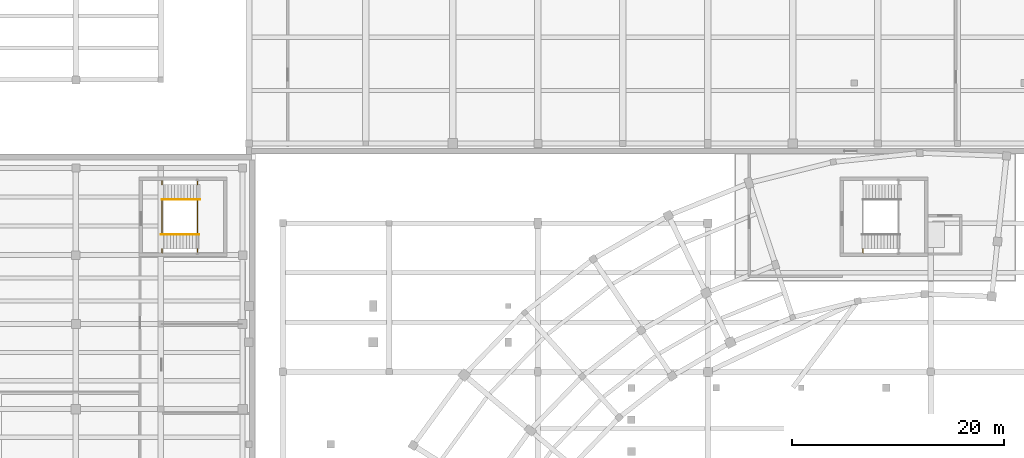
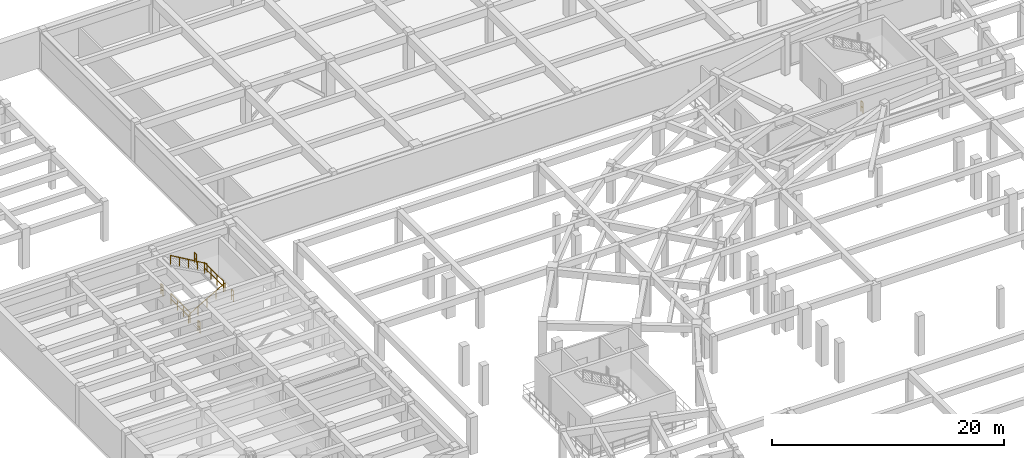
# One storey, part 32 of 35: 9 railings.
"""IFC4 building model written with IfcOpenShell, lengths in metres."""

import ifcopenshell
import ifcopenshell.guid

model = None  # the IFC model being written
_history = None  # IfcOwnerHistory: only IFC2X3 demands one
_inside = {}  # id of a spatial element -> (the spatial element, [elements in it])
_under = {}  # id of a project, library or spatial element -> (it, [spatial elements below it])
_declared = {}  # id of a project -> (the project, [libraries it declares])
_typed = {}  # id of a type object -> (the type object, [elements of that type])
_made_of = {}  # id of a material, layer set ... -> (it, [elements and type objects made of it])


def new_model(schema):
    """Start an empty IFC model of exactly this schema.

    Asked for "IFC4X3", IfcOpenShell would pick the latest addendum, in which some entities
    have other attributes; the version numbers below select the first issue.
    IFC2X3 requires an IfcOwnerHistory on every rooted entity: one is made here for all.
    """
    global model, _history
    if schema == "IFC4X3":
        model = ifcopenshell.file(schema_version=(4, 3, 0, 0))
    else:
        model = ifcopenshell.file(schema=schema)
    _inside.clear()
    _under.clear()
    _declared.clear()
    _typed.clear()
    _made_of.clear()
    _history = None
    if model.schema == "IFC2X3":
        org = make("IfcOrganization", Name="unknown")
        user = make(
            "IfcPersonAndOrganization",
            ThePerson=make("IfcPerson", FamilyName="unknown"),
            TheOrganization=org,
        )
        app = make(
            "IfcApplication",
            ApplicationDeveloper=org,
            Version="unknown",
            ApplicationFullName="unknown",
            ApplicationIdentifier="unknown",
        )
        _history = make(
            "IfcOwnerHistory",
            OwningUser=user,
            OwningApplication=app,
            ChangeAction="ADDED",
            CreationDate=0,
        )
    return model


def make(cls, **values):
    """One entity of the class cls with the attributes given. An attribute that is None is left unset."""
    return model.create_entity(
        cls, **{name: value for name, value in values.items() if value is not None}
    )


def rooted(cls, **values):
    """An entity with a GlobalId (a new one), such as an element, a storey or a relation."""
    return make(cls, GlobalId=ifcopenshell.guid.new(), OwnerHistory=_history, **values)


def si_unit(unit_type, name, prefix=None):
    """IfcSIUnit, for example si_unit("LENGTHUNIT", "METRE", prefix="MILLI")."""
    return make("IfcSIUnit", UnitType=unit_type, Prefix=prefix, Name=name)


def assignment(units):
    """IfcUnitAssignment: the units of a project."""
    return None if units is None else make("IfcUnitAssignment", Units=units)


def point(xyz):
    """IfcCartesianPoint."""
    return None if xyz is None else make("IfcCartesianPoint", Coordinates=xyz)


def direction(xyz):
    """IfcDirection."""
    return None if xyz is None else make("IfcDirection", DirectionRatios=xyz)


def frame(location, z_axis=None, x_axis=None):
    """IfcAxis2Placement3D, a coordinate frame: its origin and axes. An axis left out is left unset."""
    return make(
        "IfcAxis2Placement3D",
        Location=point(location),
        Axis=direction(z_axis),
        RefDirection=direction(x_axis),
    )


def frame_2d(location, x_axis=None):
    """IfcAxis2Placement2D, a coordinate frame in the plane: its origin and x axis."""
    return make(
        "IfcAxis2Placement2D", Location=point(location), RefDirection=direction(x_axis)
    )


def origin():
    """The frame at (0, 0, 0) with its axes left unset."""
    return frame((0.0, 0.0, 0.0))


def origin_2d():
    """The frame at (0, 0) in the plane with its x axis left unset."""
    return frame_2d((0.0, 0.0))


def place(relative_to, where):
    """IfcLocalPlacement: puts the frame where relative to a parent placement (None: the world)."""
    return make(
        "IfcLocalPlacement", PlacementRelTo=relative_to, RelativePlacement=where
    )


def context(
    kind, dimensions, precision=None, world=None, true_north=None, identifier=None
):
    """IfcGeometricRepresentationContext, for example the 3D "Model" context."""
    return make(
        "IfcGeometricRepresentationContext",
        ContextIdentifier=identifier,
        ContextType=kind,
        CoordinateSpaceDimension=dimensions,
        Precision=precision,
        WorldCoordinateSystem=world,
        TrueNorth=true_north,
    )


def subcontext(parent, identifier, kind, view, scale=None):
    """IfcGeometricRepresentationSubContext, for example "Body" below "Model"."""
    return make(
        "IfcGeometricRepresentationSubContext",
        ContextIdentifier=identifier,
        ContextType=kind,
        ParentContext=parent,
        TargetScale=scale,
        TargetView=view,
    )


def project(units=None, contexts=None):
    """IfcProject with its units and contexts."""
    return rooted(
        "IfcProject",
        Name="project",
        RepresentationContexts=contexts,
        UnitsInContext=assignment(units),
    )


def spatial(cls, under=None, at=None, **own):
    """A site, building, storey or space (cls), placed at a placement, below another one or the project."""
    s = rooted(cls, ObjectPlacement=at, **own)
    if under is not None:
        _under.setdefault(under.id(), (under, []))[1].append(s)
    return s


def profile(cls, at=None, kind="AREA", **sizes):
    """A parametric profile (cls). Its sizes go by their IFC names, for example OverallWidth=200.0."""
    return make(cls, ProfileType=kind, Position=at, **sizes)


def circle(**sizes):
    """IfcCircleProfileDef."""
    return profile("IfcCircleProfileDef", **sizes)


def extrude(swept, where, along, depth):
    """IfcExtrudedAreaSolid: the profile swept, set in the frame where, extruded along a direction by depth."""
    return make(
        "IfcExtrudedAreaSolid",
        SweptArea=swept,
        Position=where,
        ExtrudedDirection=direction(along),
        Depth=depth,
    )


def shape(context_of_items, identifier, shape_type, items):
    """IfcShapeRepresentation: the items that make up one representation, for example the "Body"."""
    return make(
        "IfcShapeRepresentation",
        ContextOfItems=context_of_items,
        RepresentationIdentifier=identifier,
        RepresentationType=shape_type,
        Items=items,
    )


def material(Name=None, Category=None):
    """IfcMaterial."""
    return make("IfcMaterial", Name=Name, Category=Category)


def made_of(thing, what):
    """Note that an element or type object is made of a material, layer set ...; save() writes the relation."""
    if what is not None:
        _made_of.setdefault(what.id(), (what, []))[1].append(thing)
    return thing


def type_object(cls, material=None, **own):
    """A type object (cls), such as IfcWallType, which elements share."""
    return made_of(rooted(cls, **own), material)


def element(
    cls,
    number,
    at=None,
    inside=None,
    cuts=None,
    type_object=None,
    material=None,
    context=None,
    identifier="Body",
    shape_type=None,
    held_by="IfcProductDefinitionShape",
    body=None,
    shapes=None,
    **own,
):
    """One element of the class cls, such as IfcWall. Its Tag is "e" and its number.

    at: its placement. inside: the storey or other place that contains it. cuts: it is an
    opening in that element (IfcRelVoidsElement). A single representation is given by context,
    identifier, shape_type and body (its items); several are given by shapes. held_by: the class
    of the entity that holds the representations. save() writes the other relations.
    """
    e = rooted(cls, Tag="e%d" % number, ObjectPlacement=at, **own)
    if body is not None:
        shapes = [shape(context, identifier, shape_type, body)]
    if shapes is not None:
        e.Representation = make(held_by, Representations=shapes)
    if inside is not None:
        _inside.setdefault(inside.id(), (inside, []))[1].append(e)
    if cuts is not None:
        rooted(
            "IfcRelVoidsElement", RelatingBuildingElement=cuts, RelatedOpeningElement=e
        )
    if type_object is not None:
        _typed.setdefault(type_object.id(), (type_object, []))[1].append(e)
    return made_of(e, material)


def aggregate(whole, parts):
    """IfcRelAggregates: a whole, such as a stair, and the parts it consists of."""
    return rooted("IfcRelAggregates", RelatingObject=whole, RelatedObjects=parts)


def save(model, path):
    """Write the relations noted so far, then the file.

    IfcRelAggregates (storeys below a building ...), IfcRelContainedInSpatialStructure (elements
    in a storey), IfcRelDefinesByType, IfcRelAssociatesMaterial and IfcRelDeclares: one each for
    every whole, place, type object, material and project.
    """
    for whole, parts in _under.values():
        aggregate(whole, parts)
    for where, things in _inside.values():
        rooted(
            "IfcRelContainedInSpatialStructure",
            RelatedElements=things,
            RelatingStructure=where,
        )
    for kind, things in _typed.values():
        rooted("IfcRelDefinesByType", RelatedObjects=things, RelatingType=kind)
    for what, things in _made_of.values():
        rooted("IfcRelAssociatesMaterial", RelatedObjects=things, RelatingMaterial=what)
    for by, libraries in _declared.values():
        rooted("IfcRelDeclares", RelatingContext=by, RelatedDefinitions=libraries)
    model.write(path)


model = new_model("IFC4")

# Units and contexts
model_context = context("Model", 3, precision=1e-05, world=origin(), true_north=direction((0.0, 1.0)))
body_context = subcontext(model_context, "Body", "Model", "MODEL_VIEW")
ifc_project = project(units=[si_unit("LENGTHUNIT", "METRE"), si_unit("AREAUNIT", "SQUARE_METRE"), si_unit("VOLUMEUNIT", "CUBIC_METRE"), si_unit("PLANEANGLEUNIT", "RADIAN"), si_unit("MASSUNIT", "GRAM", prefix="KILO"), si_unit("THERMODYNAMICTEMPERATUREUNIT", "KELVIN"), si_unit("POWERUNIT", "WATT")], contexts=[model_context])

# Site, building, storey
site_placement = place(None, origin())
site = spatial("IfcSite", under=ifc_project, at=site_placement, CompositionType="ELEMENT")
building_placement = place(site_placement, origin())
building = spatial("IfcBuilding", under=site, at=building_placement, Name="Solvatero Civic Police Headquarters", CompositionType="ELEMENT")
storey_placement = place(building_placement, frame((0.0, 0.0, -4.199951171875)))
storey = spatial("IfcBuildingStorey", under=building, at=storey_placement, Name="B01", CompositionType="ELEMENT", Elevation=-4.199951171875)

# Railings
ifc_material_1 = material(Name="Painted Galvanized Steel", Category="steel")
railing_type_1 = type_object("IfcRailingType", Name="RL-GRD-110", PredefinedType="GUARDRAIL", material=ifc_material_1)
railing_1_placement = place(storey_placement, frame((86.6298828125, 75.2099609375, 0.0)))
element("IfcRailing", 1, at=railing_1_placement, inside=storey, type_object=railing_type_1, Name="ST-C3 B01 Floor Well South Slot Guardrail", PredefinedType="GUARDRAIL", context=body_context, shape_type="SweptSolid", body=[
    extrude(circle(Radius=0.02392578125, at=origin_2d()), frame((0.0, 0.0, 1.09619140625), z_axis=(0.0, 1.0, 0.0), x_axis=(-1.0, 0.0, 0.0)), (0.0, 0.0, 1.0), 0.360107421875),
    extrude(circle(Radius=0.02392578125, at=origin_2d()), frame((0.0, 0.0, 0.5361328125), z_axis=(0.0, 1.0, 0.0), x_axis=(-1.0, 0.0, 0.0)), (0.0, 0.0, 1.0), 0.360107421875),
    extrude(circle(Radius=0.02099609375, at=origin_2d()), origin(), (0.0, 0.0, 1.0), 1.072021484375),
    extrude(circle(Radius=0.02099609375, at=origin_2d()), frame((0.0, 0.360107421875, 0.0)), (0.0, 0.0, 1.0), 1.072021484375),
])
railing_2_placement = place(storey_placement, frame((20.6298828125, 76.97998046875, 0.0)))
element("IfcRailing", 2, at=railing_2_placement, inside=storey, type_object=railing_type_1, Name="ST-C4 B01 Floor Well Guardrail", PredefinedType="GUARDRAIL", context=body_context, shape_type="SweptSolid", body=[
    extrude(circle(Radius=0.02392578125, at=origin_2d()), frame((0.0, 0.0, 1.09619140625), z_axis=(0.0, 1.0, 0.0), x_axis=(-1.0, 0.0, 0.0)), (0.0, 0.0, 1.0), 3.239990234375),
    extrude(circle(Radius=0.02392578125, at=origin_2d()), frame((0.0, 0.0, 0.5361328125), z_axis=(0.0, 1.0, 0.0), x_axis=(-1.0, 0.0, 0.0)), (0.0, 0.0, 1.0), 3.239990234375),
    extrude(circle(Radius=0.02099609375, at=origin_2d()), origin(), (0.0, 0.0, 1.0), 1.072021484375),
    extrude(circle(Radius=0.02099609375, at=origin_2d()), frame((0.0, 1.080078125, 0.0)), (0.0, 0.0, 1.0), 1.072021484375),
    extrude(circle(Radius=0.02099609375, at=origin_2d()), frame((0.0, 2.159912109375, 0.0)), (0.0, 0.0, 1.0), 1.072021484375),
    extrude(circle(Radius=0.02099609375, at=origin_2d()), frame((0.0, 3.239990234375, 0.0)), (0.0, 0.0, 1.0), 1.072021484375),
])
for number, where, name in (
    (3, (20.6298828125, 75.2099609375, 0.0), "ST-C4 B01 Floor Well South Slot Guardrail"),
    (4, (20.6298828125, 81.6298828125, 0.0), "ST-C4 B01 Floor Well North Slot Guardrail"),
):
    element("IfcRailing", number, at=place(storey_placement, frame(where)), inside=storey, type_object=railing_type_1, Name=name, PredefinedType="GUARDRAIL", context=body_context, shape_type="SweptSolid", body=[
        extrude(circle(Radius=0.02392578125, at=origin_2d()), frame((0.0, 0.0, 1.09619140625), z_axis=(0.0, 1.0, 0.0), x_axis=(-1.0, 0.0, 0.0)), (0.0, 0.0, 1.0), 0.360107421875),
        extrude(circle(Radius=0.02392578125, at=origin_2d()), frame((0.0, 0.0, 0.5361328125), z_axis=(0.0, 1.0, 0.0), x_axis=(-1.0, 0.0, 0.0)), (0.0, 0.0, 1.0), 0.360107421875),
        extrude(circle(Radius=0.02099609375, at=origin_2d()), origin(), (0.0, 0.0, 1.0), 1.072021484375),
        extrude(circle(Radius=0.02099609375, at=origin_2d()), frame((0.0, 0.360107421875, 0.0)), (0.0, 0.0, 1.0), 1.072021484375),
    ])
railing_3_placement = place(storey_placement, frame((23.969970703125, 76.97998046875, 2.099853515625)))
element("IfcRailing", 5, at=railing_3_placement, inside=storey, type_object=railing_type_1, Name="ST-C4 B01 Half-Landing Well Guardrail", PredefinedType="GUARDRAIL", context=body_context, shape_type="SweptSolid", body=[
    extrude(circle(Radius=0.02392578125, at=origin_2d()), frame((0.0, 0.0, 1.09619140625), z_axis=(0.0, 1.0, 0.0), x_axis=(-1.0, 0.0, 0.0)), (0.0, 0.0, 1.0), 3.239990234375),
    extrude(circle(Radius=0.02392578125, at=origin_2d()), frame((0.0, 0.0, 0.5361328125), z_axis=(0.0, 1.0, 0.0), x_axis=(-1.0, 0.0, 0.0)), (0.0, 0.0, 1.0), 3.239990234375),
    extrude(circle(Radius=0.02099609375, at=origin_2d()), origin(), (0.0, 0.0, 1.0), 1.072021484375),
    extrude(circle(Radius=0.02099609375, at=origin_2d()), frame((0.0, 1.080078125, 0.0)), (0.0, 0.0, 1.0), 1.072021484375),
    extrude(circle(Radius=0.02099609375, at=origin_2d()), frame((0.0, 2.159912109375, 0.0)), (0.0, 0.0, 1.0), 1.072021484375),
    extrude(circle(Radius=0.02099609375, at=origin_2d()), frame((0.0, 3.239990234375, 0.0)), (0.0, 0.0, 1.0), 1.072021484375),
])
for number, where, name in (
    (6, (23.969970703125, 75.2099609375, 2.099853515625), "ST-C4 B01 Half-Landing South Slot Guardrail"),
    (7, (23.969970703125, 81.6298828125, 2.099853515625), "ST-C4 B01 Half-Landing North Slot Guardrail"),
):
    element("IfcRailing", number, at=place(storey_placement, frame(where)), inside=storey, type_object=railing_type_1, Name=name, PredefinedType="GUARDRAIL", context=body_context, shape_type="SweptSolid", body=[
        extrude(circle(Radius=0.02392578125, at=origin_2d()), frame((0.0, 0.0, 1.09619140625), z_axis=(0.0, 1.0, 0.0), x_axis=(-1.0, 0.0, 0.0)), (0.0, 0.0, 1.0), 0.360107421875),
        extrude(circle(Radius=0.02392578125, at=origin_2d()), frame((0.0, 0.0, 0.5361328125), z_axis=(0.0, 1.0, 0.0), x_axis=(-1.0, 0.0, 0.0)), (0.0, 0.0, 1.0), 0.360107421875),
        extrude(circle(Radius=0.02099609375, at=origin_2d()), origin(), (0.0, 0.0, 1.0), 1.072021484375),
        extrude(circle(Radius=0.02099609375, at=origin_2d()), frame((0.0, 0.360107421875, 0.0)), (0.0, 0.0, 1.0), 1.072021484375),
    ])
ifc_material_2 = material(Name="Brushed Stainless Steel", Category="steel")
railing_type_2 = type_object("IfcRailingType", Name="RL-HND-092", PredefinedType="HANDRAIL", material=ifc_material_2)
railing_4_placement = place(storey_placement, frame((20.5, 76.949951171875, 0.0)))
element("IfcRailing", 8, at=railing_4_placement, inside=storey, type_object=railing_type_2, Name="ST-C4 B01 Flight 1 Handrail", PredefinedType="HANDRAIL", context=body_context, shape_type="SweptSolid", body=[
    extrude(circle(Radius=0.02392578125, at=origin_2d()), frame((0.0, 0.0, 0.89599609375), z_axis=(0.863800146258, 0.0, 0.503834603144), x_axis=(0.0, 1.0, 0.0)), (0.0, 0.0, 1.0), 4.167724609375),
    extrude(circle(Radius=0.02099609375, at=origin_2d()), origin(), (0.0, 0.0, 1.0), 0.871826171875),
    extrude(circle(Radius=0.02099609375, at=origin_2d()), frame((0.89990234375, 0.0, 0.52490234375)), (0.0, 0.0, 1.0), 0.871826171875),
    extrude(circle(Radius=0.02099609375, at=origin_2d()), frame((1.800048828125, 0.0, 1.0498046875)), (0.0, 0.0, 1.0), 0.871826171875),
    extrude(circle(Radius=0.02099609375, at=origin_2d()), frame((2.7001953125, 0.0, 1.574951171875)), (0.0, 0.0, 1.0), 0.871826171875),
    extrude(circle(Radius=0.02099609375, at=origin_2d()), frame((3.60009765625, 0.0, 2.099853515625)), (0.0, 0.0, 1.0), 0.871826171875),
])
railing_5_placement = place(storey_placement, frame((24.199951171875, 80.25, 2.099853515625)))
element("IfcRailing", 9, at=railing_5_placement, inside=storey, type_object=railing_type_2, Name="ST-C4 B01 Flight 2 Handrail", PredefinedType="HANDRAIL", context=body_context, shape_type="SweptSolid", body=[
    extrude(circle(Radius=0.02392578125, at=origin_2d()), frame((0.0, 0.0, 0.89599609375), z_axis=(-0.863759778359, 0.0, 0.503903805591), x_axis=(0.0, -1.0, 0.0)), (0.0, 0.0, 1.0), 4.167724609375),
    extrude(circle(Radius=0.02099609375, at=origin_2d()), origin(), (0.0, 0.0, 1.0), 0.871826171875),
    extrude(circle(Radius=0.02099609375, at=origin_2d()), frame((-0.89990234375, 0.0, 0.52490234375)), (0.0, 0.0, 1.0), 0.871826171875),
    extrude(circle(Radius=0.02099609375, at=origin_2d()), frame((-1.7998046875, 0.0, 1.050048828125)), (0.0, 0.0, 1.0), 0.871826171875),
    extrude(circle(Radius=0.02099609375, at=origin_2d()), frame((-2.699951171875, 0.0, 1.5751953125)), (0.0, 0.0, 1.0), 0.871826171875),
    extrude(circle(Radius=0.02099609375, at=origin_2d()), frame((-3.599853515625, 0.0, 2.10009765625)), (0.0, 0.0, 1.0), 0.871826171875),
])

save(model, "model.ifc")
